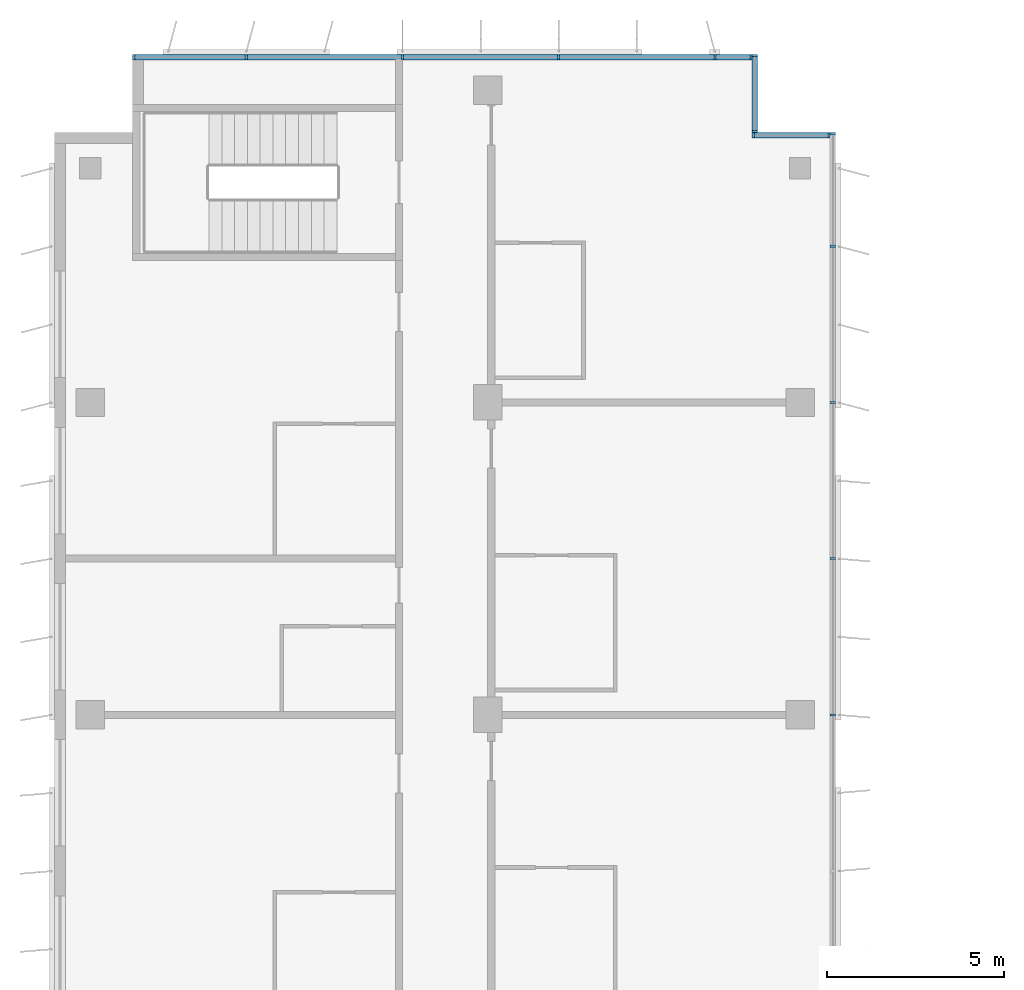
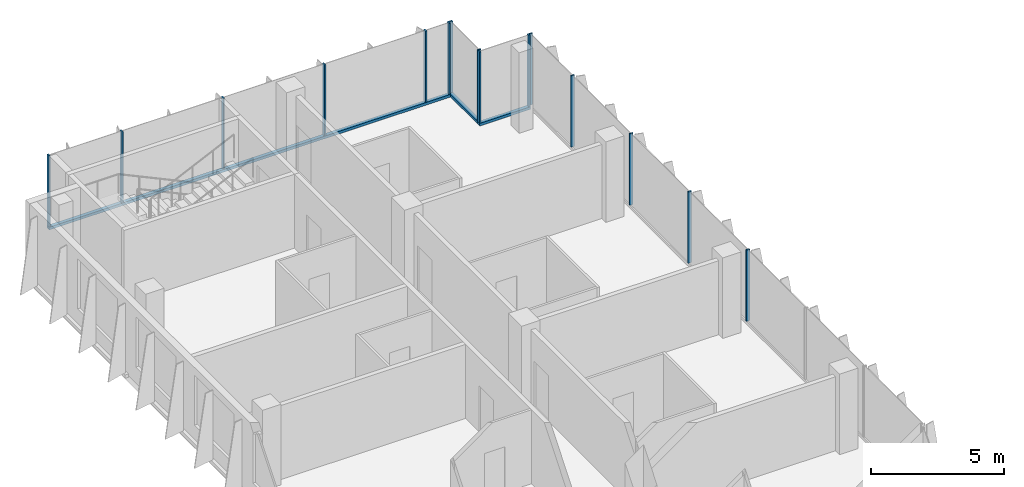
# One storey, part 6 of 15: 18 members, 4 elements without a shape of their own.
"""IFC4 building model written with IfcOpenShell, lengths in metres."""

import ifcopenshell
import ifcopenshell.guid

model = None  # the IFC model being written
_history = None  # IfcOwnerHistory: only IFC2X3 demands one
_inside = {}  # id of a spatial element -> (the spatial element, [elements in it])
_under = {}  # id of a project, library or spatial element -> (it, [spatial elements below it])
_declared = {}  # id of a project -> (the project, [libraries it declares])
_typed = {}  # id of a type object -> (the type object, [elements of that type])
_made_of = {}  # id of a material, layer set ... -> (it, [elements and type objects made of it])


def new_model(schema):
    """Start an empty IFC model of exactly this schema.

    Asked for "IFC4X3", IfcOpenShell would pick the latest addendum, in which some entities
    have other attributes; the version numbers below select the first issue.
    IFC2X3 requires an IfcOwnerHistory on every rooted entity: one is made here for all.
    """
    global model, _history
    if schema == "IFC4X3":
        model = ifcopenshell.file(schema_version=(4, 3, 0, 0))
    else:
        model = ifcopenshell.file(schema=schema)
    _inside.clear()
    _under.clear()
    _declared.clear()
    _typed.clear()
    _made_of.clear()
    _history = None
    if model.schema == "IFC2X3":
        org = make("IfcOrganization", Name="unknown")
        user = make(
            "IfcPersonAndOrganization",
            ThePerson=make("IfcPerson", FamilyName="unknown"),
            TheOrganization=org,
        )
        app = make(
            "IfcApplication",
            ApplicationDeveloper=org,
            Version="unknown",
            ApplicationFullName="unknown",
            ApplicationIdentifier="unknown",
        )
        _history = make(
            "IfcOwnerHistory",
            OwningUser=user,
            OwningApplication=app,
            ChangeAction="ADDED",
            CreationDate=0,
        )
    return model


def make(cls, **values):
    """One entity of the class cls with the attributes given. An attribute that is None is left unset."""
    return model.create_entity(
        cls, **{name: value for name, value in values.items() if value is not None}
    )


def rooted(cls, **values):
    """An entity with a GlobalId (a new one), such as an element, a storey or a relation."""
    return make(cls, GlobalId=ifcopenshell.guid.new(), OwnerHistory=_history, **values)


def si_unit(unit_type, name, prefix=None):
    """IfcSIUnit, for example si_unit("LENGTHUNIT", "METRE", prefix="MILLI")."""
    return make("IfcSIUnit", UnitType=unit_type, Prefix=prefix, Name=name)


def assignment(units):
    """IfcUnitAssignment: the units of a project."""
    return None if units is None else make("IfcUnitAssignment", Units=units)


def point(xyz):
    """IfcCartesianPoint."""
    return None if xyz is None else make("IfcCartesianPoint", Coordinates=xyz)


def direction(xyz):
    """IfcDirection."""
    return None if xyz is None else make("IfcDirection", DirectionRatios=xyz)


def frame(location, z_axis=None, x_axis=None):
    """IfcAxis2Placement3D, a coordinate frame: its origin and axes. An axis left out is left unset."""
    return make(
        "IfcAxis2Placement3D",
        Location=point(location),
        Axis=direction(z_axis),
        RefDirection=direction(x_axis),
    )


def frame_2d(location, x_axis=None):
    """IfcAxis2Placement2D, a coordinate frame in the plane: its origin and x axis."""
    return make(
        "IfcAxis2Placement2D", Location=point(location), RefDirection=direction(x_axis)
    )


def origin():
    """The frame at (0, 0, 0) with its axes left unset."""
    return frame((0.0, 0.0, 0.0))


def origin_2d():
    """The frame at (0, 0) in the plane with its x axis left unset."""
    return frame_2d((0.0, 0.0))


def place(relative_to, where):
    """IfcLocalPlacement: puts the frame where relative to a parent placement (None: the world)."""
    return make(
        "IfcLocalPlacement", PlacementRelTo=relative_to, RelativePlacement=where
    )


def context(
    kind, dimensions, precision=None, world=None, true_north=None, identifier=None
):
    """IfcGeometricRepresentationContext, for example the 3D "Model" context."""
    return make(
        "IfcGeometricRepresentationContext",
        ContextIdentifier=identifier,
        ContextType=kind,
        CoordinateSpaceDimension=dimensions,
        Precision=precision,
        WorldCoordinateSystem=world,
        TrueNorth=true_north,
    )


def subcontext(parent, identifier, kind, view, scale=None):
    """IfcGeometricRepresentationSubContext, for example "Body" below "Model"."""
    return make(
        "IfcGeometricRepresentationSubContext",
        ContextIdentifier=identifier,
        ContextType=kind,
        ParentContext=parent,
        TargetScale=scale,
        TargetView=view,
    )


def project(units=None, contexts=None):
    """IfcProject with its units and contexts."""
    return rooted(
        "IfcProject",
        Name="project",
        RepresentationContexts=contexts,
        UnitsInContext=assignment(units),
    )


def spatial(cls, under=None, at=None, **own):
    """A site, building, storey or space (cls), placed at a placement, below another one or the project."""
    s = rooted(cls, ObjectPlacement=at, **own)
    if under is not None:
        _under.setdefault(under.id(), (under, []))[1].append(s)
    return s


def profile(cls, at=None, kind="AREA", **sizes):
    """A parametric profile (cls). Its sizes go by their IFC names, for example OverallWidth=200.0."""
    return make(cls, ProfileType=kind, Position=at, **sizes)


def rectangle(**sizes):
    """IfcRectangleProfileDef."""
    return profile("IfcRectangleProfileDef", **sizes)


def extrude(swept, where, along, depth):
    """IfcExtrudedAreaSolid: the profile swept, set in the frame where, extruded along a direction by depth."""
    return make(
        "IfcExtrudedAreaSolid",
        SweptArea=swept,
        Position=where,
        ExtrudedDirection=direction(along),
        Depth=depth,
    )


def shape(context_of_items, identifier, shape_type, items):
    """IfcShapeRepresentation: the items that make up one representation, for example the "Body"."""
    return make(
        "IfcShapeRepresentation",
        ContextOfItems=context_of_items,
        RepresentationIdentifier=identifier,
        RepresentationType=shape_type,
        Items=items,
    )


def source(mapping_origin, context_of_items, identifier, shape_type, items):
    """IfcRepresentationMap: a shape defined once, which mapped items show again and again."""
    return make(
        "IfcRepresentationMap",
        MappingOrigin=mapping_origin,
        MappedRepresentation=shape(context_of_items, identifier, shape_type, items),
    )


def transform(
    local_origin,
    x_axis=None,
    y_axis=None,
    z_axis=None,
    scale=None,
    scale2=None,
    scale3=None,
    uniform=True,
):
    """IfcCartesianTransformationOperator3D, or its non-uniform kind. x_axis, y_axis, z_axis: its Axis1, 2, 3."""
    if uniform:
        return make(
            "IfcCartesianTransformationOperator3D",
            Axis1=direction(x_axis),
            Axis2=direction(y_axis),
            LocalOrigin=point(local_origin),
            Scale=scale,
            Axis3=direction(z_axis),
        )
    return make(
        "IfcCartesianTransformationOperator3DnonUniform",
        Axis1=direction(x_axis),
        Axis2=direction(y_axis),
        LocalOrigin=point(local_origin),
        Scale=scale,
        Axis3=direction(z_axis),
        Scale2=scale2,
        Scale3=scale3,
    )


def mapped(mapping_source, mapping_target):
    """IfcMappedItem: shows the shape of a source again, moved by a transform."""
    return make(
        "IfcMappedItem", MappingSource=mapping_source, MappingTarget=mapping_target
    )


def material(Name=None, Category=None):
    """IfcMaterial."""
    return make("IfcMaterial", Name=Name, Category=Category)


def material_profile(
    of_material, cross_section, Name=None, Category=None, Priority=None
):
    """IfcMaterialProfile: a cross section and its material."""
    return make(
        "IfcMaterialProfile",
        Name=Name,
        Material=of_material,
        Profile=cross_section,
        Priority=Priority,
        Category=Category,
    )


def profile_set(profiles, Name=None, composite=None):
    """IfcMaterialProfileSet."""
    return make(
        "IfcMaterialProfileSet",
        Name=Name,
        MaterialProfiles=profiles,
        CompositeProfile=composite,
    )


def made_of(thing, what):
    """Note that an element or type object is made of a material, layer set ...; save() writes the relation."""
    if what is not None:
        _made_of.setdefault(what.id(), (what, []))[1].append(thing)
    return thing


def type_object(cls, material=None, **own):
    """A type object (cls), such as IfcWallType, which elements share."""
    return made_of(rooted(cls, **own), material)


def element(
    cls,
    number,
    at=None,
    inside=None,
    cuts=None,
    type_object=None,
    material=None,
    context=None,
    identifier="Body",
    shape_type=None,
    held_by="IfcProductDefinitionShape",
    body=None,
    shapes=None,
    **own,
):
    """One element of the class cls, such as IfcWall. Its Tag is "e" and its number.

    at: its placement. inside: the storey or other place that contains it. cuts: it is an
    opening in that element (IfcRelVoidsElement). A single representation is given by context,
    identifier, shape_type and body (its items); several are given by shapes. held_by: the class
    of the entity that holds the representations. save() writes the other relations.
    """
    e = rooted(cls, Tag="e%d" % number, ObjectPlacement=at, **own)
    if body is not None:
        shapes = [shape(context, identifier, shape_type, body)]
    if shapes is not None:
        e.Representation = make(held_by, Representations=shapes)
    if inside is not None:
        _inside.setdefault(inside.id(), (inside, []))[1].append(e)
    if cuts is not None:
        rooted(
            "IfcRelVoidsElement", RelatingBuildingElement=cuts, RelatedOpeningElement=e
        )
    if type_object is not None:
        _typed.setdefault(type_object.id(), (type_object, []))[1].append(e)
    return made_of(e, material)


def aggregate(whole, parts):
    """IfcRelAggregates: a whole, such as a stair, and the parts it consists of."""
    return rooted("IfcRelAggregates", RelatingObject=whole, RelatedObjects=parts)


def save(model, path):
    """Write the relations noted so far, then the file.

    IfcRelAggregates (storeys below a building ...), IfcRelContainedInSpatialStructure (elements
    in a storey), IfcRelDefinesByType, IfcRelAssociatesMaterial and IfcRelDeclares: one each for
    every whole, place, type object, material and project.
    """
    for whole, parts in _under.values():
        aggregate(whole, parts)
    for where, things in _inside.values():
        rooted(
            "IfcRelContainedInSpatialStructure",
            RelatedElements=things,
            RelatingStructure=where,
        )
    for kind, things in _typed.values():
        rooted("IfcRelDefinesByType", RelatedObjects=things, RelatingType=kind)
    for what, things in _made_of.values():
        rooted("IfcRelAssociatesMaterial", RelatedObjects=things, RelatingMaterial=what)
    for by, libraries in _declared.values():
        rooted("IfcRelDeclares", RelatingContext=by, RelatedDefinitions=libraries)
    model.write(path)


model = new_model("IFC4")

# Units and contexts
model_context = context("Model", 3, precision=1e-05, world=origin(), true_north=direction((0.0, 1.0)))
body_context = subcontext(model_context, "Body", "Model", "MODEL_VIEW")
ifc_project = project(units=[si_unit("LENGTHUNIT", "METRE"), si_unit("AREAUNIT", "SQUARE_METRE"), si_unit("VOLUMEUNIT", "CUBIC_METRE"), si_unit("PLANEANGLEUNIT", "RADIAN"), si_unit("MASSUNIT", "GRAM", prefix="KILO")], contexts=[model_context])

# Site, building, storey
site_placement = place(None, origin())
site = spatial("IfcSite", under=ifc_project, at=site_placement, CompositionType="ELEMENT")
building_placement = place(site_placement, origin())
building = spatial("IfcBuilding", under=site, at=building_placement, Name="Kemantara Hotel Tower", CompositionType="ELEMENT")
storey_placement = place(building_placement, frame((0.0, 0.0, 230.199951171875)))
storey = spatial("IfcBuildingStorey", under=building, at=storey_placement, Name="L57", CompositionType="ELEMENT", Elevation=230.199951171875)

# Curtain wall, member
ifc_material_1 = material(Name="Low-E tinted double insulated glass 36 mm", Category="glass")
curtain_wall_type = type_object("IfcCurtainWallType", Name="TOWER CURTAIN WALL, FRONT FACES", PredefinedType="USERDEFINED", material=ifc_material_1)
curtain_wall_1_placement = place(storey_placement, origin())
curtain_wall_1 = element("IfcCurtainWall", 1, at=curtain_wall_1_placement, inside=storey, type_object=curtain_wall_type, Name="CW4 L57 T4-R02-1", ObjectType="TOWER CURTAIN WALL, FRONT FACES", PredefinedType="USERDEFINED")
ifc_material_2 = material(Name="Aluminium 6063-T6 bronze anodised", Category="aluminium")
ifc_material_profile_1 = material_profile(ifc_material_2, rectangle(XDim=0.14990234375, YDim=0.1201171875, at=origin_2d()), Name="TOWER CURTAIN WALL, FRONT FACES TRANSOM")
ifc_profile_set_1 = profile_set([ifc_material_profile_1], Name="Aluminium 6063-T6 bronze anodised")
member_type_1 = type_object("IfcMemberType", Name="TOWER CURTAIN WALL, FRONT FACES TRANSOM", PredefinedType="USERDEFINED", material=ifc_profile_set_1)
member_1_placement = place(storey_placement, frame((19.64990234375, 63.52490234375, 0.06005859375), z_axis=(-1.0, 0.0, 0.0), x_axis=(0.0, -1.0, 0.0)))
member_1 = element("IfcMember", 2, at=member_1_placement, type_object=member_type_1, Name="CW4 sill transom T4-R02-1", ObjectType="TRANSOM", PredefinedType="USERDEFINED", context=body_context, shape_type="SweptSolid", body=[
    extrude(rectangle(XDim=0.14990234375, YDim=0.1201171875, at=origin_2d()), origin(), (0.0, 0.0, 1.0), 17.449951171875),
])

curtain_wall_2_placement = place(storey_placement, origin())
curtain_wall_2 = element("IfcCurtainWall", 3, at=curtain_wall_2_placement, inside=storey, type_object=curtain_wall_type, Name="CW4 L57 T4-R00-1", ObjectType="TOWER CURTAIN WALL, FRONT FACES", PredefinedType="USERDEFINED")
member_2_placement = place(storey_placement, frame((21.85009765625, 61.324951171875, 0.06005859375), z_axis=(-1.0, 0.0, 0.0), x_axis=(0.0, -1.0, 0.0)))
member_2 = element("IfcMember", 4, at=member_2_placement, type_object=member_type_1, Name="CW4 sill transom T4-R00-1", ObjectType="TRANSOM", PredefinedType="USERDEFINED", context=body_context, shape_type="SweptSolid", body=[
    extrude(rectangle(XDim=0.14990234375, YDim=0.1201171875, at=origin_2d()), origin(), (0.0, 0.0, 1.0), 2.2001953125),
])

curtain_wall_3_placement = place(storey_placement, origin())
curtain_wall_3 = element("IfcCurtainWall", 5, at=curtain_wall_3_placement, inside=storey, type_object=curtain_wall_type, Name="CW4 L57 T4-R01-1", ObjectType="TOWER CURTAIN WALL, FRONT FACES", PredefinedType="USERDEFINED")
member_3_placement = place(storey_placement, frame((19.72509765625, 61.39990234375, 0.06005859375), z_axis=(0.0, 1.0, 0.0), x_axis=(-1.0, 0.0, 0.0)))
member_3 = element("IfcMember", 6, at=member_3_placement, type_object=member_type_1, Name="CW4 sill transom T4-R01-1", ObjectType="TRANSOM", PredefinedType="USERDEFINED", context=body_context, shape_type="SweptSolid", body=[
    extrude(rectangle(XDim=0.14990234375, YDim=0.1201171875, at=origin_2d()), origin(), (0.0, 0.0, 1.0), 2.2001953125),
])

# Member
ifc_material_profile_2 = material_profile(ifc_material_2, rectangle(XDim=0.14990234375, YDim=0.06005859375, at=origin_2d()), Name="TOWER CURTAIN WALL, FRONT FACES MULLION")
ifc_profile_set_2 = profile_set([ifc_material_profile_2], Name="Aluminium 6063-T6 bronze anodised")
member_type_2 = type_object("IfcMemberType", Name="TOWER CURTAIN WALL, FRONT FACES MULLION", PredefinedType="MULLION", material=ifc_profile_set_2)
shared_shape = source(origin(), body_context, "Body", "SweptSolid", [
    extrude(rectangle(XDim=0.14990234375, YDim=0.06005859375, at=origin_2d()), origin(), (0.0, 0.0, 1.0), 3.280029296875),
])
member_4_placement = place(storey_placement, frame((19.6201171875, 63.52490234375, 0.1201171875), z_axis=(0.0, 0.0, 1.0), x_axis=(0.0, -1.0, 0.0)))
member_4 = element("IfcMember", 7, at=member_4_placement, type_object=member_type_2, Name="CW4 mullion T4-R02-1.1", PredefinedType="MULLION", context=body_context, shape_type="MappedRepresentation", body=[
    mapped(shared_shape, transform((0.0, 0.0, 0.0))),
])

member_5_placement = place(storey_placement, frame((18.60009765625, 63.52490234375, 0.1201171875), z_axis=(0.0, 0.0, 1.0), x_axis=(0.0, -1.0, 0.0)))
member_5 = element("IfcMember", 8, at=member_5_placement, type_object=member_type_2, Name="CW4 mullion T4-R02-1.2", PredefinedType="MULLION", context=body_context, shape_type="MappedRepresentation", body=[
    mapped(shared_shape, transform((0.0, 0.0, 0.0))),
])

member_6_placement = place(storey_placement, frame((14.199951171875, 63.52490234375, 0.1201171875), z_axis=(0.0, 0.0, 1.0), x_axis=(0.0, -1.0, 0.0)))
member_6 = element("IfcMember", 9, at=member_6_placement, type_object=member_type_2, Name="CW4 mullion T4-R02-1.3", PredefinedType="MULLION", context=body_context, shape_type="MappedRepresentation", body=[
    mapped(shared_shape, transform((0.0, 0.0, 0.0))),
])

member_7_placement = place(storey_placement, frame((9.800048828125, 63.52490234375, 0.1201171875), z_axis=(0.0, 0.0, 1.0), x_axis=(0.0, -1.0, 0.0)))
member_7 = element("IfcMember", 10, at=member_7_placement, type_object=member_type_2, Name="CW4 mullion T4-R02-1.4", PredefinedType="MULLION", context=body_context, shape_type="MappedRepresentation", body=[
    mapped(shared_shape, transform((0.0, 0.0, 0.0))),
])

member_8_placement = place(storey_placement, frame((5.39990234375, 63.52490234375, 0.1201171875), z_axis=(0.0, 0.0, 1.0), x_axis=(0.0, -1.0, 0.0)))
member_8 = element("IfcMember", 11, at=member_8_placement, type_object=member_type_2, Name="CW4 mullion T4-R02-1.5", PredefinedType="MULLION", context=body_context, shape_type="MappedRepresentation", body=[
    mapped(shared_shape, transform((0.0, 0.0, 0.0))),
])

member_9_placement = place(storey_placement, frame((2.22998046875, 63.52490234375, 0.1201171875), z_axis=(0.0, 0.0, 1.0), x_axis=(0.0, -1.0, 0.0)))
member_9 = element("IfcMember", 12, at=member_9_placement, type_object=member_type_2, Name="CW4 mullion T4-R02-1.6", PredefinedType="MULLION", context=body_context, shape_type="MappedRepresentation", body=[
    mapped(shared_shape, transform((0.0, 0.0, 0.0))),
])

aggregate(curtain_wall_1, [member_1, member_4, member_5, member_6, member_7, member_8, member_9])

# Curtain wall, members
curtain_wall_4_placement = place(storey_placement, origin())
curtain_wall_4 = element("IfcCurtainWall", 13, at=curtain_wall_4_placement, inside=storey, type_object=curtain_wall_type, Name="CW4 L57 T4-R15-1", ObjectType="TOWER CURTAIN WALL, FRONT FACES", PredefinedType="USERDEFINED")
member_10_placement = place(storey_placement, frame((21.925048828125, 45.0, 0.1201171875), z_axis=(0.0, 0.0, 1.0), x_axis=(-1.0, 0.0, 0.0)))
member_10 = element("IfcMember", 14, at=member_10_placement, type_object=member_type_2, Name="CW4 mullion T4-R15-1.6", PredefinedType="MULLION", context=body_context, shape_type="MappedRepresentation", body=[
    mapped(shared_shape, transform((0.0, 0.0, 0.0))),
])
member_11_placement = place(storey_placement, frame((21.925048828125, 49.39990234375, 0.1201171875), z_axis=(0.0, 0.0, 1.0), x_axis=(-1.0, 0.0, 0.0)))
member_11 = element("IfcMember", 15, at=member_11_placement, type_object=member_type_2, Name="CW4 mullion T4-R15-1.7", PredefinedType="MULLION", context=body_context, shape_type="MappedRepresentation", body=[
    mapped(shared_shape, transform((0.0, 0.0, 0.0))),
])
member_12_placement = place(storey_placement, frame((21.925048828125, 53.800048828125, 0.1201171875), z_axis=(0.0, 0.0, 1.0), x_axis=(-1.0, 0.0, 0.0)))
member_12 = element("IfcMember", 16, at=member_12_placement, type_object=member_type_2, Name="CW4 mullion T4-R15-1.8", PredefinedType="MULLION", context=body_context, shape_type="MappedRepresentation", body=[
    mapped(shared_shape, transform((0.0, 0.0, 0.0))),
])
member_13_placement = place(storey_placement, frame((21.925048828125, 58.199951171875, 0.1201171875), z_axis=(0.0, 0.0, 1.0), x_axis=(-1.0, 0.0, 0.0)))
member_13 = element("IfcMember", 17, at=member_13_placement, type_object=member_type_2, Name="CW4 mullion T4-R15-1.9", PredefinedType="MULLION", context=body_context, shape_type="MappedRepresentation", body=[
    mapped(shared_shape, transform((0.0, 0.0, 0.0))),
])
member_14_placement = place(storey_placement, frame((21.925048828125, 61.3701171875, 0.1201171875), z_axis=(0.0, 0.0, 1.0), x_axis=(-1.0, 0.0, 0.0)))
member_14 = element("IfcMember", 18, at=member_14_placement, type_object=member_type_2, Name="CW4 mullion T4-R15-1.10", PredefinedType="MULLION", context=body_context, shape_type="MappedRepresentation", body=[
    mapped(shared_shape, transform((0.0, 0.0, 0.0))),
])
aggregate(curtain_wall_4, [member_10, member_11, member_12, member_13, member_14])

# Member
member_15_placement = place(storey_placement, frame((21.820068359375, 61.324951171875, 0.1201171875), z_axis=(0.0, 0.0, 1.0), x_axis=(0.0, -1.0, 0.0)))
member_15 = element("IfcMember", 19, at=member_15_placement, type_object=member_type_2, Name="CW4 mullion T4-R00-1.1", PredefinedType="MULLION", context=body_context, shape_type="MappedRepresentation", body=[
    mapped(shared_shape, transform((0.0, 0.0, 0.0))),
])

member_16_placement = place(storey_placement, frame((19.679931640625, 61.324951171875, 0.1201171875), z_axis=(0.0, 0.0, 1.0), x_axis=(0.0, -1.0, 0.0)))
member_16 = element("IfcMember", 20, at=member_16_placement, type_object=member_type_2, Name="CW4 mullion T4-R00-1.2", PredefinedType="MULLION", context=body_context, shape_type="MappedRepresentation", body=[
    mapped(shared_shape, transform((0.0, 0.0, 0.0))),
])

aggregate(curtain_wall_2, [member_2, member_15, member_16])

member_17_placement = place(storey_placement, frame((19.72509765625, 61.429931640625, 0.1201171875), z_axis=(0.0, 0.0, 1.0), x_axis=(-1.0, 0.0, 0.0)))
member_17 = element("IfcMember", 21, at=member_17_placement, type_object=member_type_2, Name="CW4 mullion T4-R01-1.1", PredefinedType="MULLION", context=body_context, shape_type="MappedRepresentation", body=[
    mapped(shared_shape, transform((0.0, 0.0, 0.0))),
])

member_18_placement = place(storey_placement, frame((19.72509765625, 63.570068359375, 0.1201171875), z_axis=(0.0, 0.0, 1.0), x_axis=(-1.0, 0.0, 0.0)))
member_18 = element("IfcMember", 22, at=member_18_placement, type_object=member_type_2, Name="CW4 mullion T4-R01-1.2", PredefinedType="MULLION", context=body_context, shape_type="MappedRepresentation", body=[
    mapped(shared_shape, transform((0.0, 0.0, 0.0))),
])

aggregate(curtain_wall_3, [member_3, member_17, member_18])

save(model, "model.ifc")
